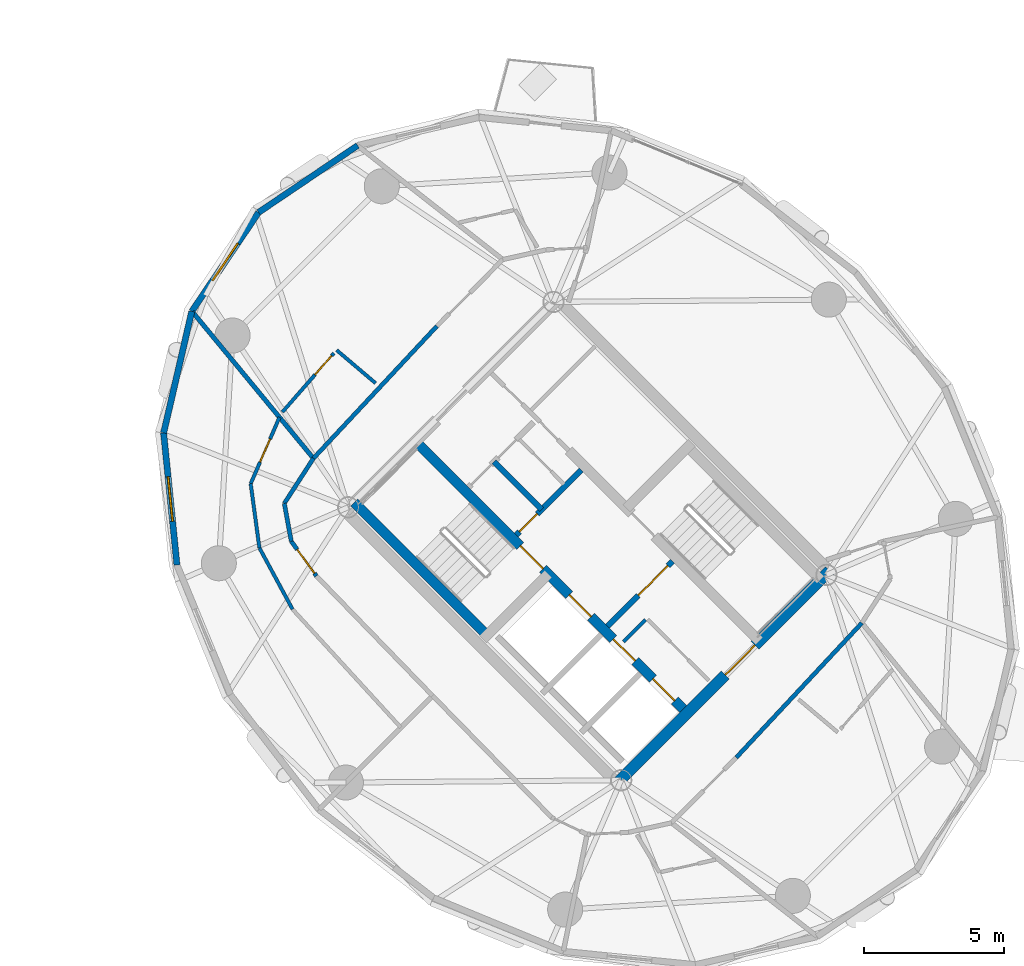
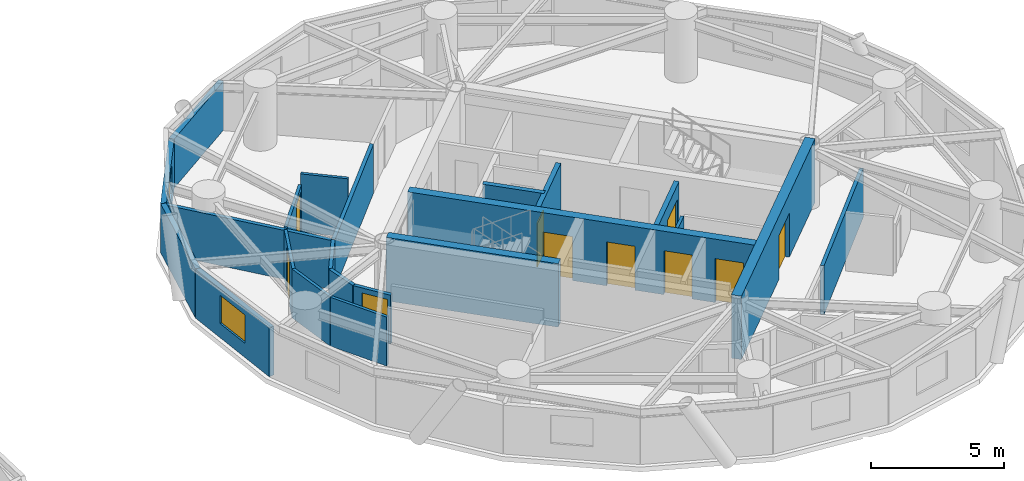
# One storey, part 11 of 16: 22 walls, 10 doors, 2 windows, 12 openings.
"""IFC4 building model written with IfcOpenShell, lengths in metres."""

from ifc_helpers import new_model, si_unit, direction, frame, frame_2d, origin, place, context, subcontext, project, spatial, rectangle, extrude, source, transform, mapped, material, layer, layer_set, type_object, element, fill, save


model = new_model("IFC4")

# Units and contexts
model_context = context("Model", 3, precision=1e-05, world=origin(), true_north=direction((0.0, 1.0)))
body_context = subcontext(model_context, "Body", "Model", "MODEL_VIEW")
ifc_project = project(units=[si_unit("LENGTHUNIT", "METRE"), si_unit("AREAUNIT", "SQUARE_METRE"), si_unit("VOLUMEUNIT", "CUBIC_METRE"), si_unit("PLANEANGLEUNIT", "RADIAN"), si_unit("MASSUNIT", "GRAM", prefix="KILO")], contexts=[model_context])

# Site, building, storey
site_placement = place(None, origin())
site = spatial("IfcSite", under=ifc_project, at=site_placement, CompositionType="ELEMENT")
building_placement = place(site_placement, origin())
building = spatial("IfcBuilding", under=site, at=building_placement, Name="Cununo Teusaquillo Station Towers", CompositionType="ELEMENT")
storey_placement = place(building_placement, frame((0.0, 0.0, 180.699951171875)))
storey = spatial("IfcBuildingStorey", under=building, at=storey_placement, Name="L57", CompositionType="ELEMENT", Elevation=180.699951171875)

# Wall, openings, doors
ifc_material_1 = material(Name="Concrete C50/60", Category="concrete")
ifc_layer_1 = layer(ifc_material_1, 0.35009765625)
ifc_layer_set_1 = layer_set([ifc_layer_1], Name="Concrete C50/60")
wall_type_1 = type_object("IfcWallType", Name="WL-CORE-350", PredefinedType="SHEAR", material=ifc_layer_set_1)
wall_1_placement = place(storey_placement, frame((61.060302734375, 18.372802734375, 0.0), z_axis=(0.0, 0.0, 1.0), x_axis=(-0.707106781187, 0.707106781187, 0.0)))
wall_1 = element("IfcWall", 1, at=wall_1_placement, inside=storey, type_object=wall_type_1, Name="L57 Tower B Core Shear Wall IW", PredefinedType="SHEAR", context=body_context, shape_type="SweptSolid", body=[
    extrude(rectangle(XDim=13.7001953125, YDim=0.35009765625, at=frame_2d((6.85009765625, 0.0))), origin(), (0.0, 0.0, 1.0), 2.91015625),
])
shared_shape_1 = source(origin(), body_context, "Body", "SweptSolid", [
    extrude(rectangle(XDim=1.10009765625, YDim=2.014892578125, at=frame_2d((0.550048828125, 1.00732421875))), frame((0.0, 0.18505859375, 0.0), z_axis=(0.0, -1.0, 0.0), x_axis=(1.0, 0.0, 0.0)), (0.0, 0.0, 1.0), 0.3701171875),
])
opening_1_placement = place(wall_1_placement, frame((4.85009765625, 0.0, 0.0)))
opening_1 = element("IfcOpeningElement", 2, at=opening_1_placement, cuts=wall_1, Name="Opening LD-01", PredefinedType="OPENING", context=body_context, shape_type="MappedRepresentation", body=[
    mapped(shared_shape_1, transform((0.0, 0.0, 0.0), x_axis=(1.0, 0.0, 0.0), y_axis=(0.0, 1.0, 0.0), z_axis=(0.0, 0.0, 1.0), scale=1.0)),
])
opening_2_placement = place(wall_1_placement, frame((0.625, 0.0, 0.0)))
opening_2 = element("IfcOpeningElement", 3, at=opening_2_placement, cuts=wall_1, Name="Opening LD-01", PredefinedType="OPENING", context=body_context, shape_type="MappedRepresentation", body=[
    mapped(shared_shape_1, transform((0.0, 0.0, 0.0), x_axis=(1.0, 0.0, 0.0), y_axis=(0.0, 1.0, 0.0), z_axis=(0.0, 0.0, 1.0), scale=1.0)),
])
opening_3_placement = place(wall_1_placement, frame((2.625, 0.0, 0.0)))
opening_3 = element("IfcOpeningElement", 4, at=opening_3_placement, cuts=wall_1, Name="Opening LD-01", PredefinedType="OPENING", context=body_context, shape_type="MappedRepresentation", body=[
    mapped(shared_shape_1, transform((0.0, 0.0, 0.0), x_axis=(1.0, 0.0, 0.0), y_axis=(0.0, 1.0, 0.0), z_axis=(0.0, 0.0, 1.0), scale=1.0)),
])
shared_shape_2 = source(origin(), body_context, "Body", "SweptSolid", [
    extrude(rectangle(XDim=1.14990234375, YDim=2.02001953125, at=frame_2d((0.574951171875, 1.010009765625))), frame((0.0, 0.18505859375, 0.0), z_axis=(0.0, -1.0, 0.0), x_axis=(1.0, 0.0, 0.0)), (0.0, 0.0, 1.0), 0.3701171875),
])
opening_4_placement = place(wall_1_placement, frame((7.27001953125, 0.0, 0.0)))
opening_4 = element("IfcOpeningElement", 5, at=opening_4_placement, cuts=wall_1, Name="Opening D-ST1", PredefinedType="OPENING", context=body_context, shape_type="MappedRepresentation", body=[
    mapped(shared_shape_2, transform((0.0, 0.0, 0.0), x_axis=(1.0, 0.0, 0.0), y_axis=(0.0, 1.0, 0.0), z_axis=(0.0, 0.0, 1.0), scale=1.0)),
])
ifc_material_2 = material(Name="Galvanised fire-rated hollow steel door assembly", Category="steel")
door_type_1 = type_object("IfcDoorType", Name="DR-LIFT-1100", OperationType="SLIDING_TO_LEFT", PredefinedType="DOOR", material=ifc_material_2)
shared_shape_3 = source(origin(), body_context, "Body", "SweptSolid", [
    extrude(rectangle(XDim=1.10009765625, YDim=2.014892578125, at=frame_2d((0.550048828125, 1.00732421875))), frame((0.0, 0.02490234375, 0.0), z_axis=(0.0, -1.0, 0.0), x_axis=(1.0, 0.0, 0.0)), (0.0, 0.0, 1.0), 0.050048828125),
])
door_1_placement = place(opening_1_placement, origin())
door_1 = element("IfcDoor", 6, at=door_1_placement, inside=storey, type_object=door_type_1, Name="L57 Lift FL-T2 Sliding Landing Door", OperationType="SLIDING_TO_LEFT", OverallHeight=2.014892578125, OverallWidth=1.10009765625, PredefinedType="DOOR", context=body_context, shape_type="MappedRepresentation", body=[
    mapped(shared_shape_3, transform((0.0, 0.0, 0.0), x_axis=(1.0, 0.0, 0.0), y_axis=(0.0, 1.0, 0.0), z_axis=(0.0, 0.0, 1.0), scale=1.0)),
])
fill(opening_1, door_1)
door_2_placement = place(opening_2_placement, origin())
door_2 = element("IfcDoor", 7, at=door_2_placement, inside=storey, type_object=door_type_1, Name="L57 Lift PL-T2-H1 Sliding Landing Door", OperationType="SLIDING_TO_RIGHT", OverallHeight=2.014892578125, OverallWidth=1.10009765625, PredefinedType="DOOR", context=body_context, shape_type="MappedRepresentation", body=[
    mapped(shared_shape_3, transform((0.0, 0.0, 0.0), x_axis=(1.0, 0.0, 0.0), y_axis=(0.0, 1.0, 0.0), z_axis=(0.0, 0.0, 1.0), scale=1.0)),
])
fill(opening_2, door_2)
door_3_placement = place(opening_3_placement, origin())
door_3 = element("IfcDoor", 8, at=door_3_placement, inside=storey, type_object=door_type_1, Name="L57 Lift PL-T2-H2 Sliding Landing Door", OperationType="SLIDING_TO_LEFT", OverallHeight=2.014892578125, OverallWidth=1.10009765625, PredefinedType="DOOR", context=body_context, shape_type="MappedRepresentation", body=[
    mapped(shared_shape_3, transform((0.0, 0.0, 0.0), x_axis=(1.0, 0.0, 0.0), y_axis=(0.0, 1.0, 0.0), z_axis=(0.0, 0.0, 1.0), scale=1.0)),
])
fill(opening_3, door_3)
ifc_material_3 = material(Name="Galvanised fire-rated hollow steel door assembly", Category="steel")
door_type_2 = type_object("IfcDoorType", Name="DR-STAIR-1150", OperationType="NOTDEFINED", PredefinedType="DOOR", material=ifc_material_3)
shared_shape_4 = source(origin(), body_context, "Body", "SweptSolid", [
    extrude(rectangle(XDim=1.14990234375, YDim=2.02001953125, at=frame_2d((0.574951171875, 1.010009765625))), frame((0.0, 0.02490234375, 0.0), z_axis=(0.0, -1.0, 0.0), x_axis=(1.0, 0.0, 0.0)), (0.0, 0.0, 1.0), 0.050048828125),
])
door_4_placement = place(opening_4_placement, origin())
door_4 = element("IfcDoor", 9, at=door_4_placement, inside=storey, type_object=door_type_2, Name="L57 Tower B Exit Stair 1 Fire Door", OperationType="SINGLE_SWING_LEFT", OverallHeight=2.02001953125, OverallWidth=1.14990234375, PredefinedType="DOOR", context=body_context, shape_type="MappedRepresentation", body=[
    mapped(shared_shape_4, transform((0.0, 0.0, 0.0), x_axis=(1.0, 0.0, 0.0), y_axis=(0.0, 1.0, 0.0), z_axis=(0.0, 0.0, 1.0), scale=1.0)),
])
fill(opening_4, door_4)

# Wall
wall_2_placement = place(storey_placement, frame((53.922119140625, 21.14111328125, 0.0), z_axis=(0.0, 0.0, 1.0), x_axis=(-0.707106781187, 0.707106781187, 0.0)))
element("IfcWall", 10, at=wall_2_placement, inside=storey, type_object=wall_type_1, Name="L57 Tower B Core Shear Wall ST1W", PredefinedType="SHEAR", context=body_context, shape_type="SweptSolid", body=[
    extrude(rectangle(XDim=6.695068359375, YDim=0.35009765625, at=frame_2d((3.34765625, 0.0))), origin(), (0.0, 0.0, 1.0), 2.91015625),
])

# Wall, opening, door
ifc_material_4 = material(Name="Concrete C50/60", Category="concrete")
ifc_layer_2 = layer(ifc_material_4, 0.39990234375)
ifc_layer_set_2 = layer_set([ifc_layer_2], Name="Concrete C50/60")
wall_type_2 = type_object("IfcWallType", Name="WL-CORE-400", PredefinedType="SHEAR", material=ifc_layer_set_2)
wall_3_placement = place(storey_placement, frame((58.560791015625, 15.873291015625, 0.0), z_axis=(0.0, 0.0, 1.0), x_axis=(0.707106781187, 0.707106781187, 0.0)))
wall_3 = element("IfcWall", 11, at=wall_3_placement, inside=storey, type_object=wall_type_2, Name="L57 Tower B Core Shear Wall S", PredefinedType="SHEAR", context=body_context, shape_type="SweptSolid", body=[
    extrude(rectangle(XDim=10.69970703125, YDim=0.39990234375, at=frame_2d((5.349853515625, 0.0))), origin(), (0.0, 0.0, 1.0), 2.91015625),
])
shared_shape_5 = source(origin(), body_context, "Body", "SweptSolid", [
    extrude(rectangle(XDim=1.5, YDim=2.02001953125, at=frame_2d((0.75, 1.010009765625))), frame((0.0, 0.2099609375, 0.0), z_axis=(0.0, -1.0, 0.0), x_axis=(1.0, 0.0, 0.0)), (0.0, 0.0, 1.0), 0.419921875),
])
opening_5_placement = place(wall_3_placement, frame((5.449951171875, 0.0, 0.0)))
opening_5 = element("IfcOpeningElement", 12, at=opening_5_placement, cuts=wall_3, Name="Opening D-LB1", PredefinedType="OPENING", context=body_context, shape_type="MappedRepresentation", body=[
    mapped(shared_shape_5, transform((0.0, 0.0, 0.0), x_axis=(1.0, 0.0, 0.0), y_axis=(0.0, 1.0, 0.0), z_axis=(0.0, 0.0, 1.0), scale=1.0)),
])
ifc_material_5 = material(Name="Galvanised fire-rated hollow steel door assembly", Category="steel")
door_type_3 = type_object("IfcDoorType", Name="DR-LOBBY-1500", OperationType="DOUBLE_DOOR_SINGLE_SWING", PredefinedType="DOOR", material=ifc_material_5)
shared_shape_6 = source(origin(), body_context, "Body", "SweptSolid", [
    extrude(rectangle(XDim=1.5, YDim=2.02001953125, at=frame_2d((0.75, 1.010009765625))), frame((0.0, 0.02490234375, 0.0), z_axis=(0.0, -1.0, 0.0), x_axis=(1.0, 0.0, 0.0)), (0.0, 0.0, 1.0), 0.050048828125),
])
door_5_placement = place(opening_5_placement, origin())
door_5 = element("IfcDoor", 13, at=door_5_placement, inside=storey, type_object=door_type_3, Name="L57 Tower B South Core Lift Lobby Door", OperationType="DOUBLE_DOOR_SINGLE_SWING", OverallHeight=2.02001953125, OverallWidth=1.5, PredefinedType="DOOR", context=body_context, shape_type="MappedRepresentation", body=[
    mapped(shared_shape_6, transform((0.0, 0.0, 0.0), x_axis=(1.0, 0.0, 0.0), y_axis=(0.0, 1.0, 0.0), z_axis=(0.0, 0.0, 1.0), scale=1.0)),
])
fill(opening_5, door_5)

# Wall
ifc_material_6 = material(Name="Precast concrete C40/50", Category="concrete")
ifc_layer_3 = layer(ifc_material_6, 0.219970703125)
ifc_layer_set_3 = layer_set([ifc_layer_3], Name="Precast concrete C40/50")
wall_type_3 = type_object("IfcWallType", Name="WL-EXT-220", PredefinedType="SOLIDWALL", material=ifc_layer_set_3)
wall_4_placement = place(storey_placement, frame((45.783203125, 36.216796875, 0.0), z_axis=(0.0, 0.0, 1.0), x_axis=(0.828817439852, 0.55951912514, 0.0)))
element("IfcWall", 14, at=wall_4_placement, inside=storey, type_object=wall_type_3, Name="L57 Tower B Exterior Facade Wall C04", PredefinedType="SOLIDWALL", context=body_context, shape_type="SweptSolid", body=[
    extrude(rectangle(XDim=4.259033203125, YDim=0.219970703125, at=frame_2d((2.12939453125, 0.0))), origin(), (0.0, 0.0, 1.0), 2.2451171875),
])

# Wall, opening, window
wall_5_placement = place(storey_placement, frame((43.400146484375, 32.686767578125, 0.0), z_axis=(0.0, 0.0, 1.0), x_axis=(0.55951912514, 0.828817439852, 0.0)))
wall_5 = element("IfcWall", 15, at=wall_5_placement, inside=storey, type_object=wall_type_3, Name="L57 Tower B Exterior Facade Wall C05", PredefinedType="SOLIDWALL", context=body_context, shape_type="SweptSolid", body=[
    extrude(rectangle(XDim=4.259033203125, YDim=0.219970703125, at=frame_2d((2.12939453125, 0.0))), origin(), (0.0, 0.0, 1.0), 2.2451171875),
])
shared_shape_7 = source(origin(), body_context, "Body", "SweptSolid", [
    extrude(rectangle(XDim=1.60009765625, YDim=1.300048828125, at=frame_2d((0.800048828125, 0.64990234375))), frame((0.0, 0.119873046875, 0.0), z_axis=(0.0, -1.0, 0.0), x_axis=(1.0, 0.0, 0.0)), (0.0, 0.0, 1.0), 0.239990234375),
])
opening_6_placement = place(wall_5_placement, frame((1.330078125, 0.0, 0.64990234375)))
opening_6 = element("IfcOpeningElement", 16, at=opening_6_placement, cuts=wall_5, Name="Opening WN-03", PredefinedType="OPENING", context=body_context, shape_type="MappedRepresentation", body=[
    mapped(shared_shape_7, transform((0.0, 0.0, 0.0), x_axis=(1.0, 0.0, 0.0), y_axis=(0.0, 1.0, 0.0), z_axis=(0.0, 0.0, 1.0), scale=1.0)),
])
ifc_material_7 = material(Name="Ceramic-fritted dark low-E double glazing", Category="glass")
window_type = type_object("IfcWindowType", Name="WIN-CORN-1600", PartitioningType="SINGLE_PANEL", PredefinedType="WINDOW", material=ifc_material_7)
shared_shape_8 = source(origin(), body_context, "Body", "SweptSolid", [
    extrude(rectangle(XDim=1.60009765625, YDim=1.300048828125, at=frame_2d((0.800048828125, 0.64990234375))), frame((0.0, 0.030029296875, 0.0), z_axis=(0.0, -1.0, 0.0), x_axis=(1.0, 0.0, 0.0)), (0.0, 0.0, 1.0), 0.06005859375),
])
window_1_placement = place(opening_6_placement, origin())
window_1 = element("IfcWindow", 17, at=window_1_placement, inside=storey, type_object=window_type, Name="L57 Tower B Facade Window C05", OverallHeight=1.300048828125, OverallWidth=1.60009765625, PartitioningType="SINGLE_PANEL", PredefinedType="WINDOW", context=body_context, shape_type="MappedRepresentation", body=[
    mapped(shared_shape_8, transform((0.0, 0.0, 0.0), x_axis=(1.0, 0.0, 0.0), y_axis=(0.0, 1.0, 0.0), z_axis=(0.0, 0.0, 1.0), scale=1.0)),
])
fill(opening_6, window_1)

# Wall
wall_6_placement = place(storey_placement, frame((42.397216796875, 28.355224609375, 0.0), z_axis=(0.0, 0.0, 1.0), x_axis=(0.22557328587, 0.97422620202, 0.0)))
element("IfcWall", 18, at=wall_6_placement, inside=storey, type_object=wall_type_3, Name="L57 Tower B Exterior Facade Wall C06", PredefinedType="SOLIDWALL", context=body_context, shape_type="SweptSolid", body=[
    extrude(rectangle(XDim=4.446044921875, YDim=0.219970703125, at=frame_2d((2.22314453125, 0.0))), origin(), (0.0, 0.0, 1.0), 2.2451171875),
])

# Wall, opening, window
wall_7_placement = place(storey_placement, frame((42.87255859375, 23.646484375, 0.0), z_axis=(0.0, 0.0, 1.0), x_axis=(-0.100438356004, 0.994943283129, 0.0)))
wall_7 = element("IfcWall", 19, at=wall_7_placement, inside=storey, type_object=wall_type_3, Name="L57 Tower B Exterior Facade Wall C07", PredefinedType="SOLIDWALL", context=body_context, shape_type="SweptSolid", body=[
    extrude(rectangle(XDim=4.732666015625, YDim=0.219970703125, at=frame_2d((2.3662109375, 0.0))), origin(), (0.0, 0.0, 1.0), 2.2451171875),
])
opening_7_placement = place(wall_7_placement, frame((1.56591796875, 0.0, 0.64990234375)))
opening_7 = element("IfcOpeningElement", 20, at=opening_7_placement, cuts=wall_7, Name="Opening WN-03", PredefinedType="OPENING", context=body_context, shape_type="MappedRepresentation", body=[
    mapped(shared_shape_7, transform((0.0, 0.0, 0.0), x_axis=(1.0, 0.0, 0.0), y_axis=(0.0, 1.0, 0.0), z_axis=(0.0, 0.0, 1.0), scale=1.0)),
])
window_2_placement = place(opening_7_placement, origin())
window_2 = element("IfcWindow", 21, at=window_2_placement, inside=storey, type_object=window_type, Name="L57 Tower B Facade Window C07", OverallHeight=1.300048828125, OverallWidth=1.60009765625, PartitioningType="SINGLE_PANEL", PredefinedType="WINDOW", context=body_context, shape_type="MappedRepresentation", body=[
    mapped(shared_shape_8, transform((0.0, 0.0, 0.0), x_axis=(1.0, 0.0, 0.0), y_axis=(0.0, 1.0, 0.0), z_axis=(0.0, 0.0, 1.0), scale=1.0)),
])
fill(opening_7, window_2)

# Walls
ifc_material_8 = material(Name="Fire-rated gypsum plasterboard partition assembly", Category="gypsum")
ifc_layer_4 = layer(ifc_material_8, 0.125)
ifc_layer_set_4 = layer_set([ifc_layer_4], Name="Fire-rated gypsum plasterboard partition assembly")
wall_type_4 = type_object("IfcWallType", Name="WL-PART-125", PredefinedType="PARTITIONING", material=ifc_layer_set_4)
wall_8_placement = place(storey_placement, frame((58.7939453125, 20.9150390625, 0.0), z_axis=(0.0, 0.0, 1.0), x_axis=(0.707106781187, 0.707106781187, 0.0)))
element("IfcWall", 22, at=wall_8_placement, inside=storey, type_object=wall_type_4, Name="L57 Tower B South-West Tall Store North Wall", PredefinedType="PARTITIONING", context=body_context, shape_type="SweptSolid", body=[
    extrude(rectangle(XDim=1.10009765625, YDim=0.125, at=frame_2d((0.550048828125, 0.0))), origin(), (0.0, 0.0, 1.0), 2.675048828125),
])
wall_9_placement = place(storey_placement, frame((49.94921875, 30.130126953125, 0.0), z_axis=(0.0, 0.0, 1.0), x_axis=(-0.76253118385, 0.646951461592, 0.0)))
element("IfcWall", 23, at=wall_9_placement, inside=storey, type_object=wall_type_4, Name="L57 Tower B S02 En-suite Side Wall", PredefinedType="PARTITIONING", context=body_context, shape_type="SweptSolid", body=[
    extrude(rectangle(XDim=1.82080078125, YDim=0.125, at=frame_2d((0.910400390625, 0.0))), origin(), (0.0, 0.0, 1.0), 2.675048828125),
])

# Wall, opening, door
wall_10_placement = place(storey_placement, frame((48.46533203125, 31.19873046875, 0.0), z_axis=(0.0, 0.0, 1.0), x_axis=(-0.658113718436, -0.752918543805, 0.0)))
wall_10 = element("IfcWall", 24, at=wall_10_placement, inside=storey, type_object=wall_type_4, Name="L57 Tower B S02 En-suite Back Wall", PredefinedType="PARTITIONING", context=body_context, shape_type="SweptSolid", body=[
    extrude(rectangle(XDim=2.786376953125, YDim=0.125, at=frame_2d((1.39306640625, 0.0))), origin(), (0.0, 0.0, 1.0), 2.2451171875),
])
shared_shape_9 = source(origin(), body_context, "Body", "SweptSolid", [
    extrude(rectangle(XDim=0.89990234375, YDim=2.0048828125, at=frame_2d((0.449951171875, 1.00244140625))), frame((0.0, 0.072509765625, 0.0), z_axis=(0.0, -1.0, 0.0), x_axis=(1.0, 0.0, 0.0)), (0.0, 0.0, 1.0), 0.14501953125),
])
opening_8_placement = place(wall_10_placement, frame((0.1201171875, 0.0, 0.0)))
opening_8 = element("IfcOpeningElement", 25, at=opening_8_placement, cuts=wall_10, Name="Opening D-IN1", PredefinedType="OPENING", context=body_context, shape_type="MappedRepresentation", body=[
    mapped(shared_shape_9, transform((0.0, 0.0, 0.0), x_axis=(1.0, 0.0, 0.0), y_axis=(0.0, 1.0, 0.0), z_axis=(0.0, 0.0, 1.0), scale=1.0)),
])
ifc_material_9 = material(Name="Acoustic solid-core hardwood leaf assembly", Category="wood")
door_type_4 = type_object("IfcDoorType", Name="DR-INT-900", OperationType="NOTDEFINED", PredefinedType="DOOR", material=ifc_material_9)
shared_shape_10 = source(origin(), body_context, "Body", "SweptSolid", [
    extrude(rectangle(XDim=0.89990234375, YDim=2.0048828125, at=frame_2d((0.449951171875, 1.00244140625))), frame((0.0, 0.02490234375, 0.0), z_axis=(0.0, -1.0, 0.0), x_axis=(1.0, 0.0, 0.0)), (0.0, 0.0, 1.0), 0.050048828125),
])
door_6_placement = place(opening_8_placement, origin())
door_6 = element("IfcDoor", 26, at=door_6_placement, inside=storey, type_object=door_type_4, Name="L57 Tower B S02 En-suite Bathroom Door", OperationType="SINGLE_SWING_LEFT", OverallHeight=2.0048828125, OverallWidth=0.89990234375, PredefinedType="DOOR", context=body_context, shape_type="MappedRepresentation", body=[
    mapped(shared_shape_10, transform((0.0, 0.0, 0.0), x_axis=(1.0, 0.0, 0.0), y_axis=(0.0, 1.0, 0.0), z_axis=(0.0, 0.0, 1.0), scale=1.0)),
])
fill(opening_8, door_6)

wall_11_placement = place(storey_placement, frame((46.52685546875, 28.9130859375, 0.0), z_axis=(0.0, 0.0, 1.0), x_axis=(-0.398002989165, -0.917384118358, 0.0)))
wall_11 = element("IfcWall", 27, at=wall_11_placement, inside=storey, type_object=wall_type_4, Name="L57 Tower B Hotel Tea & Cigar Conservatory Concentric Partition Wall C06", PredefinedType="PARTITIONING", context=body_context, shape_type="SweptSolid", body=[
    extrude(rectangle(XDim=2.58056640625, YDim=0.125, at=frame_2d((1.290283203125, 0.0))), origin(), (0.0, 0.0, 1.0), 2.2451171875),
])
opening_9_placement = place(wall_11_placement, frame((0.84033203125, 0.0, 0.0)))
opening_9 = element("IfcOpeningElement", 28, at=opening_9_placement, cuts=wall_11, Name="Opening D-IN1", PredefinedType="OPENING", context=body_context, shape_type="MappedRepresentation", body=[
    mapped(shared_shape_9, transform((0.0, 0.0, 0.0), x_axis=(1.0, 0.0, 0.0), y_axis=(0.0, 1.0, 0.0), z_axis=(0.0, 0.0, 1.0), scale=1.0)),
])
door_7_placement = place(opening_9_placement, origin())
door_7 = element("IfcDoor", 29, at=door_7_placement, inside=storey, type_object=door_type_4, Name="L57 Tower B Hotel Tea & Cigar Conservatory Connecting Door", OperationType="SINGLE_SWING_LEFT", OverallHeight=2.0048828125, OverallWidth=0.89990234375, PredefinedType="DOOR", context=body_context, shape_type="MappedRepresentation", body=[
    mapped(shared_shape_10, transform((0.0, 0.0, 0.0), x_axis=(1.0, 0.0, 0.0), y_axis=(0.0, 1.0, 0.0), z_axis=(0.0, 0.0, 1.0), scale=1.0)),
])
fill(opening_9, door_7)

# Walls
wall_12_placement = place(storey_placement, frame((45.499755859375, 26.545654296875, 0.0), z_axis=(0.0, 0.0, 1.0), x_axis=(0.134877351861, -0.990862301208, 0.0)))
element("IfcWall", 30, at=wall_12_placement, inside=storey, type_object=wall_type_4, Name="L57 Tower B Hotel Tea & Cigar Conservatory Concentric Partition Wall C07", PredefinedType="PARTITIONING", context=body_context, shape_type="SweptSolid", body=[
    extrude(rectangle(XDim=2.3095703125, YDim=0.125, at=frame_2d((1.15478515625, 0.0))), origin(), (0.0, 0.0, 1.0), 2.2451171875),
])
wall_13_placement = place(storey_placement, frame((45.811279296875, 24.257080078125, 0.0), z_axis=(0.0, 0.0, 1.0), x_axis=(0.474867364042, -0.880057376861, 0.0)))
element("IfcWall", 31, at=wall_13_placement, inside=storey, type_object=wall_type_4, Name="L57 Tower B Hotel Tea & Cigar Conservatory Concentric Partition Wall C08", PredefinedType="PARTITIONING", context=body_context, shape_type="SweptSolid", body=[
    extrude(rectangle(XDim=2.484130859375, YDim=0.125, at=frame_2d((1.2421875, 0.0))), origin(), (0.0, 0.0, 1.0), 2.2451171875),
])
ifc_material_10 = material(Name="Fire-rated gypsum plasterboard partition assembly", Category="gypsum")
ifc_layer_5 = layer(ifc_material_10, 0.14990234375)
ifc_layer_set_5 = layer_set([ifc_layer_5], Name="Fire-rated gypsum plasterboard partition assembly")
wall_type_5 = type_object("IfcWallType", Name="WL-PART-150", PredefinedType="PARTITIONING", material=ifc_layer_set_5)
wall_14_placement = place(storey_placement, frame((52.13525390625, 32.159423828125, 0.0), z_axis=(0.0, 0.0, 1.0), x_axis=(-0.682546302454, -0.730842353047, 0.0)))
element("IfcWall", 32, at=wall_14_placement, inside=storey, type_object=wall_type_5, Name="L57 Tower B Corridor Ring Wall C05", PredefinedType="PARTITIONING", context=body_context, shape_type="SweptSolid", body=[
    extrude(rectangle(XDim=6.4453125, YDim=0.14990234375, at=frame_2d((3.22265625, 0.0))), origin(), (0.0, 0.0, 1.0), 2.2451171875),
])
wall_15_placement = place(storey_placement, frame((47.736083984375, 27.448974609375, 0.0), z_axis=(0.0, 0.0, 1.0), x_axis=(-0.542589259408, -0.839998152126, 0.0)))
element("IfcWall", 33, at=wall_15_placement, inside=storey, type_object=wall_type_5, Name="L57 Tower B Corridor Ring Wall C06", PredefinedType="PARTITIONING", context=body_context, shape_type="SweptSolid", body=[
    extrude(rectangle(XDim=1.911865234375, YDim=0.14990234375, at=frame_2d((0.9560546875, 0.0))), origin(), (0.0, 0.0, 1.0), 2.2451171875),
])
wall_16_placement = place(storey_placement, frame((46.69873046875, 25.843017578125, 0.0), z_axis=(0.0, 0.0, 1.0), x_axis=(0.180451258011, -0.983583928032, 0.0)))
element("IfcWall", 34, at=wall_16_placement, inside=storey, type_object=wall_type_5, Name="L57 Tower B Corridor Ring Wall C07", PredefinedType="PARTITIONING", context=body_context, shape_type="SweptSolid", body=[
    extrude(rectangle(XDim=1.371826171875, YDim=0.14990234375, at=frame_2d((0.68603515625, 0.0))), origin(), (0.0, 0.0, 1.0), 2.2451171875),
])

# Wall, opening, door
wall_17_placement = place(storey_placement, frame((46.9462890625, 24.49365234375, 0.0), z_axis=(0.0, 0.0, 1.0), x_axis=(0.586340262528, -0.810064871809, 0.0)))
wall_17 = element("IfcWall", 35, at=wall_17_placement, inside=storey, type_object=wall_type_5, Name="L57 Tower B Corridor Ring Wall C08", PredefinedType="PARTITIONING", context=body_context, shape_type="SweptSolid", body=[
    extrude(rectangle(XDim=1.531005859375, YDim=0.14990234375, at=frame_2d((0.765625, 0.0))), origin(), (0.0, 0.0, 1.0), 2.2451171875),
])
shared_shape_11 = source(origin(), body_context, "Body", "SweptSolid", [
    extrude(rectangle(XDim=1.050048828125, YDim=2.014892578125, at=frame_2d((0.52490234375, 1.00732421875))), frame((0.0, 0.0849609375, 0.0), z_axis=(0.0, -1.0, 0.0), x_axis=(1.0, 0.0, 0.0)), (0.0, 0.0, 1.0), 0.169921875),
])
opening_10_placement = place(wall_17_placement, frame((0.36083984375, 0.0, 0.0)))
opening_10 = element("IfcOpeningElement", 36, at=opening_10_placement, cuts=wall_17, Name="Opening D-SU1", PredefinedType="OPENING", context=body_context, shape_type="MappedRepresentation", body=[
    mapped(shared_shape_11, transform((0.0, 0.0, 0.0), x_axis=(1.0, 0.0, 0.0), y_axis=(0.0, 1.0, 0.0), z_axis=(0.0, 0.0, 1.0), scale=1.0)),
])
ifc_material_11 = material(Name="Acoustic solid-core hardwood leaf assembly", Category="wood")
door_type_5 = type_object("IfcDoorType", Name="DR-SUITE-1050", OperationType="NOTDEFINED", PredefinedType="DOOR", material=ifc_material_11)
shared_shape_12 = source(origin(), body_context, "Body", "SweptSolid", [
    extrude(rectangle(XDim=1.050048828125, YDim=2.014892578125, at=frame_2d((0.52490234375, 1.00732421875))), frame((0.0, 0.02490234375, 0.0), z_axis=(0.0, -1.0, 0.0), x_axis=(1.0, 0.0, 0.0)), (0.0, 0.0, 1.0), 0.050048828125),
])
door_8_placement = place(opening_10_placement, origin())
door_8 = element("IfcDoor", 37, at=door_8_placement, inside=storey, type_object=door_type_5, Name="L57 Tower B Hotel Tea & Cigar Conservatory Entrance Door", OperationType="SINGLE_SWING_RIGHT", OverallHeight=2.014892578125, OverallWidth=1.050048828125, PredefinedType="DOOR", context=body_context, shape_type="MappedRepresentation", body=[
    mapped(shared_shape_12, transform((0.0, 0.0, 0.0), x_axis=(1.0, 0.0, 0.0), y_axis=(0.0, 1.0, 0.0), z_axis=(0.0, 0.0, 1.0), scale=1.0)),
])
fill(opening_10, door_8)

# Walls
wall_18_placement = place(storey_placement, frame((62.8115234375, 16.78759765625, 0.0), z_axis=(0.0, 0.0, 1.0), x_axis=(0.682323555485, 0.731050316757, 0.0)))
element("IfcWall", 38, at=wall_18_placement, inside=storey, type_object=wall_type_5, Name="L57 Tower B Corridor Ring Wall C15", PredefinedType="PARTITIONING", context=body_context, shape_type="SweptSolid", body=[
    extrude(rectangle(XDim=6.55859375, YDim=0.14990234375, at=frame_2d((3.279296875, 0.0))), origin(), (0.0, 0.0, 1.0), 2.2451171875),
])
ifc_material_12 = material(Name="Fire-rated gypsum plasterboard partition assembly", Category="gypsum")
ifc_layer_6 = layer(ifc_material_12, 0.159912109375)
ifc_layer_set_6 = layer_set([ifc_layer_6], Name="Fire-rated gypsum plasterboard partition assembly")
wall_type_6 = type_object("IfcWallType", Name="WL-PART-160", PredefinedType="PARTITIONING", material=ifc_layer_set_6)
wall_19_placement = place(storey_placement, frame((47.736083984375, 27.448974609375, 0.0), z_axis=(0.0, 0.0, 1.0), x_axis=(-0.636785609289, 0.771040911886, 0.0)))
element("IfcWall", 39, at=wall_19_placement, inside=storey, type_object=wall_type_6, Name="L57 Tower B Radial Suite Partition R03", PredefinedType="PARTITIONING", context=body_context, shape_type="SweptSolid", body=[
    extrude(rectangle(XDim=6.781005859375, YDim=0.159912109375, at=frame_2d((3.390625, 0.0))), origin(), (0.0, 0.0, 1.0), 2.2451171875),
])

# Wall, opening, door
ifc_material_13 = material(Name="Fire-rated gypsum plasterboard partition assembly", Category="gypsum")
ifc_layer_7 = layer(ifc_material_13, 0.199951171875)
ifc_layer_set_7 = layer_set([ifc_layer_7], Name="Fire-rated gypsum plasterboard partition assembly")
wall_type_7 = type_object("IfcWallType", Name="WL-PART-200", PredefinedType="PARTITIONING", material=ifc_layer_set_7)
wall_20_placement = place(storey_placement, frame((58.214111328125, 21.466552734375, 0.0), z_axis=(0.0, 0.0, 1.0), x_axis=(0.707106781187, 0.707106781187, 0.0)))
wall_20 = element("IfcWall", 40, at=wall_20_placement, inside=storey, type_object=wall_type_7, Name="L57 Tower B Firefighting Lift Lobby South Fire Wall", PredefinedType="PARTITIONING", context=body_context, shape_type="SweptSolid", body=[
    extrude(rectangle(XDim=3.280029296875, YDim=0.199951171875, at=frame_2d((1.64013671875, 0.0))), origin(), (0.0, 0.0, 1.0), 2.675048828125),
])
shared_shape_13 = source(origin(), body_context, "Body", "SweptSolid", [
    extrude(rectangle(XDim=1.5, YDim=2.02001953125, at=frame_2d((0.75, 1.010009765625))), frame((0.0, 0.10986328125, 0.0), z_axis=(0.0, -1.0, 0.0), x_axis=(1.0, 0.0, 0.0)), (0.0, 0.0, 1.0), 0.219970703125),
])
opening_11_placement = place(wall_20_placement, frame((1.550048828125, 0.0, 0.0)))
opening_11 = element("IfcOpeningElement", 41, at=opening_11_placement, cuts=wall_20, Name="Opening D-LB1", PredefinedType="OPENING", context=body_context, shape_type="MappedRepresentation", body=[
    mapped(shared_shape_13, transform((0.0, 0.0, 0.0), x_axis=(1.0, 0.0, 0.0), y_axis=(0.0, 1.0, 0.0), z_axis=(0.0, 0.0, 1.0), scale=1.0)),
])
door_9_placement = place(opening_11_placement, origin())
door_9 = element("IfcDoor", 42, at=door_9_placement, inside=storey, type_object=door_type_3, Name="L57 Tower B Firefighting Lift Lobby South Fire Door", OperationType="DOUBLE_DOOR_SINGLE_SWING", OverallHeight=2.02001953125, OverallWidth=1.5, PredefinedType="DOOR", context=body_context, shape_type="MappedRepresentation", body=[
    mapped(shared_shape_6, transform((0.0, 0.0, 0.0), x_axis=(1.0, 0.0, 0.0), y_axis=(0.0, 1.0, 0.0), z_axis=(0.0, 0.0, 1.0), scale=1.0)),
])
fill(opening_11, door_9)

wall_21_placement = place(storey_placement, frame((54.96142578125, 24.71923828125, 0.0), z_axis=(0.0, 0.0, 1.0), x_axis=(0.707106781187, 0.707106781187, 0.0)))
wall_21 = element("IfcWall", 43, at=wall_21_placement, inside=storey, type_object=wall_type_7, Name="L57 Tower B Firefighting Lift Lobby North Fire Wall", PredefinedType="PARTITIONING", context=body_context, shape_type="SweptSolid", body=[
    extrude(rectangle(XDim=3.280029296875, YDim=0.199951171875, at=frame_2d((1.64013671875, 0.0))), origin(), (0.0, 0.0, 1.0), 2.675048828125),
])
shared_shape_14 = source(origin(), body_context, "Body", "SweptSolid", [
    extrude(rectangle(XDim=0.89990234375, YDim=2.0048828125, at=frame_2d((0.449951171875, 1.00244140625))), frame((0.0, 0.10986328125, 0.0), z_axis=(0.0, -1.0, 0.0), x_axis=(1.0, 0.0, 0.0)), (0.0, 0.0, 1.0), 0.219970703125),
])
opening_12_placement = place(wall_21_placement, frame((0.159912109375, 0.0, 0.0)))
opening_12 = element("IfcOpeningElement", 44, at=opening_12_placement, cuts=wall_21, Name="Opening D-SR1", PredefinedType="OPENING", context=body_context, shape_type="MappedRepresentation", body=[
    mapped(shared_shape_14, transform((0.0, 0.0, 0.0), x_axis=(1.0, 0.0, 0.0), y_axis=(0.0, 1.0, 0.0), z_axis=(0.0, 0.0, 1.0), scale=1.0)),
])
ifc_material_14 = material(Name="Galvanised fire-rated hollow steel door assembly", Category="steel")
door_type_6 = type_object("IfcDoorType", Name="DR-STORE-900", OperationType="NOTDEFINED", PredefinedType="DOOR", material=ifc_material_14)
door_10_placement = place(opening_12_placement, origin())
door_10 = element("IfcDoor", 45, at=door_10_placement, inside=storey, type_object=door_type_6, Name="L57 Tower B Stair 1 Protected Vestibule South Door", OperationType="SINGLE_SWING_LEFT", OverallHeight=2.0048828125, OverallWidth=0.89990234375, PredefinedType="DOOR", context=body_context, shape_type="MappedRepresentation", body=[
    mapped(shared_shape_10, transform((0.0, 0.0, 0.0), x_axis=(1.0, 0.0, 0.0), y_axis=(0.0, 1.0, 0.0), z_axis=(0.0, 0.0, 1.0), scale=1.0)),
])
fill(opening_12, door_10)

# Wall
wall_22_placement = place(storey_placement, frame((55.873779296875, 25.63134765625, 0.0), z_axis=(0.0, 0.0, 1.0), x_axis=(-0.707157639372, 0.707055919343, 0.0)))
element("IfcWall", 46, at=wall_22_placement, inside=storey, type_object=wall_type_7, Name="L57 Tower B Stair 1 Vestibule Partition Wall", PredefinedType="PARTITIONING", context=body_context, shape_type="SweptSolid", body=[
    extrude(rectangle(XDim=2.400146484375, YDim=0.199951171875, at=frame_2d((1.2001953125, 0.0))), origin(), (0.0, 0.0, 1.0), 2.675048828125),
])

save(model, "model.ifc")
